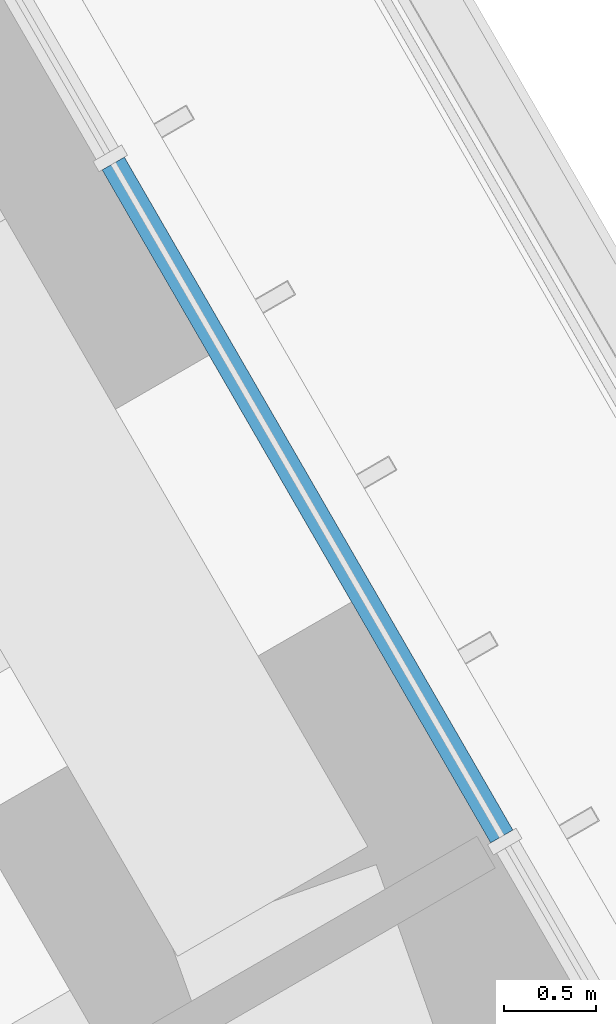
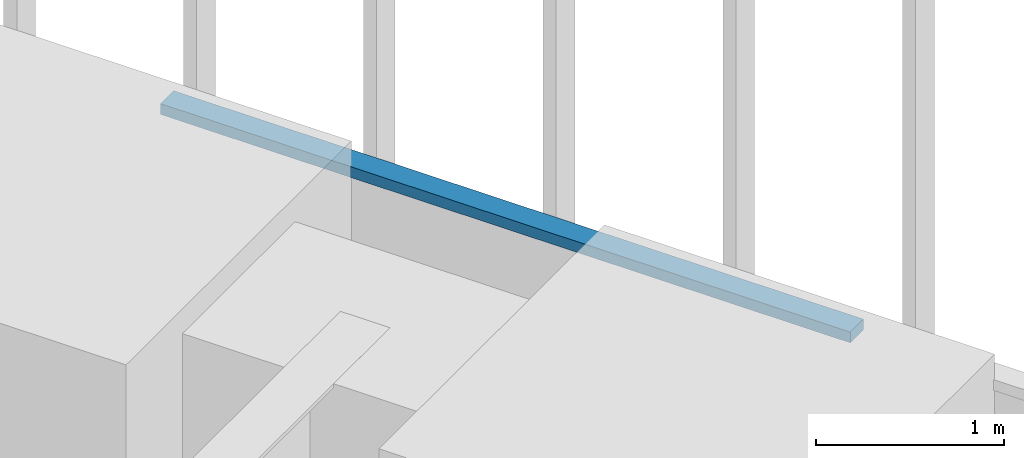
# One storey, part 194 of 238: 1 member, 1 element without a shape of its own.
"""IFC4 building model written with IfcOpenShell, lengths in metres."""

from ifc_helpers import new_model, si_unit, direction, frame, origin, origin_2d, place, context, subcontext, project, spatial, rectangle, extrude, material, material_profile, profile_set, type_object, element, aggregate, save


model = new_model("IFC4")

# Units and contexts
model_context = context("Model", 3, precision=1e-05, world=origin(), true_north=direction((0.0, 1.0)))
body_context = subcontext(model_context, "Body", "Model", "MODEL_VIEW")
ifc_project = project(units=[si_unit("LENGTHUNIT", "METRE"), si_unit("AREAUNIT", "SQUARE_METRE"), si_unit("VOLUMEUNIT", "CUBIC_METRE"), si_unit("PLANEANGLEUNIT", "RADIAN"), si_unit("MASSUNIT", "GRAM", prefix="KILO")], contexts=[model_context])

# Site, building, storey
site_placement = place(None, origin())
site = spatial("IfcSite", under=ifc_project, at=site_placement, CompositionType="ELEMENT")
building_placement = place(site_placement, origin())
building = spatial("IfcBuilding", under=site, at=building_placement, Name="Sandreach Pilgrim Tower", CompositionType="ELEMENT")
storey_placement = place(building_placement, frame((0.0, 0.0, 96.800048828125)))
storey = spatial("IfcBuildingStorey", under=building, at=storey_placement, Name="L23", CompositionType="ELEMENT", Elevation=96.800048828125)

# Curtain wall, member
ifc_material_1 = material(Name="Aluminium framed curtain wall", Category="aluminium")
curtain_wall_type = type_object("IfcCurtainWallType", Name="Hotel tower curtain wall", PredefinedType="NOTDEFINED", material=ifc_material_1)
curtain_wall_placement = place(storey_placement, origin())
curtain_wall = element("IfcCurtainWall", 1, at=curtain_wall_placement, inside=storey, type_object=curtain_wall_type, Name="CW-2 L23 NE", PredefinedType="NOTDEFINED")
ifc_material_2 = material(Name="Aluminium extrusion", Category="aluminium")
ifc_material_profile = material_profile(ifc_material_2, rectangle(XDim=0.139892578125, YDim=0.070068359375, at=origin_2d()), Name="CW-2T 140X70")
ifc_profile_set = profile_set([ifc_material_profile], Name="Aluminium extrusion")
member_type = type_object("IfcMemberType", Name="CW-2 transom", PredefinedType="USERDEFINED", material=ifc_profile_set)
member_placement = place(storey_placement, frame((24.431396484375, 14.06787109375, 3.60498046875), z_axis=(0.500021471012, -0.866013007135, 0.0), x_axis=(0.866013007135, 0.500021471012, 0.0)))
member = element("IfcMember", 2, at=member_placement, type_object=member_type, Name="CW-2 head transom 3", ObjectType="TRANSOM", PredefinedType="USERDEFINED", context=body_context, shape_type="SweptSolid", body=[
    extrude(rectangle(XDim=0.139892578125, YDim=0.070068359375, at=origin_2d()), origin(), (0.0, 0.0, 1.0), 4.240478515625),
])
aggregate(curtain_wall, [member])

save(model, "model.ifc")
